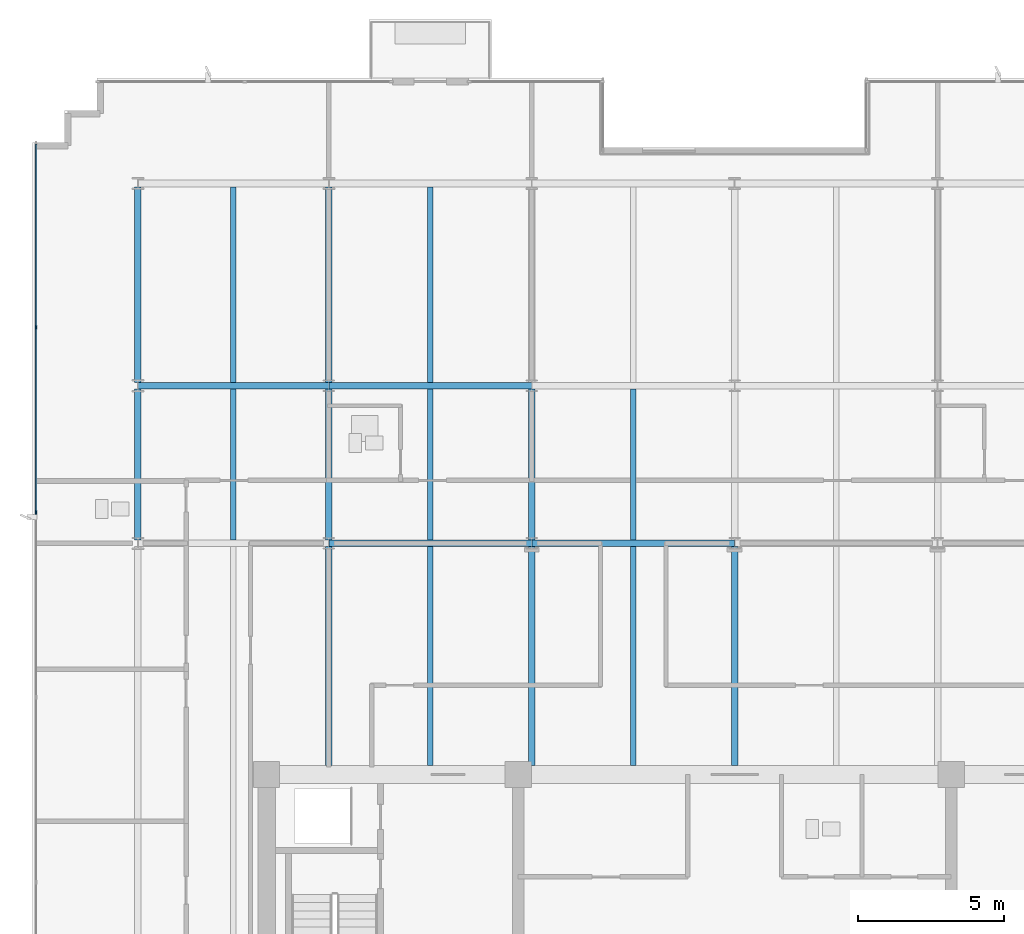
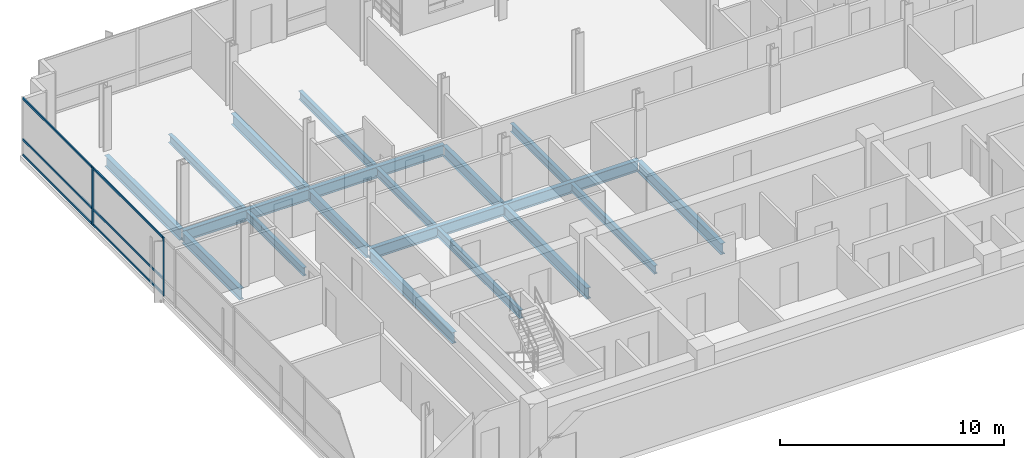
# One storey, part 4 of 17: 19 beams, 8 members, 1 element without a shape of its own.
"""IFC4 building model written with IfcOpenShell, lengths in metres."""

from ifc_helpers import new_model, si_unit, direction, frame, origin, origin_2d, place, context, subcontext, project, spatial, rectangle, i_section, extrude, material, material_profile, profile_set, type_object, element, aggregate, save


model = new_model("IFC4")

# Units and contexts
model_context = context("Model", 3, precision=1e-05, world=origin(), true_north=direction((0.0, 1.0)))
body_context = subcontext(model_context, "Body", "Model", "MODEL_VIEW")
ifc_project = project(units=[si_unit("LENGTHUNIT", "METRE"), si_unit("AREAUNIT", "SQUARE_METRE"), si_unit("VOLUMEUNIT", "CUBIC_METRE"), si_unit("PLANEANGLEUNIT", "RADIAN"), si_unit("MASSUNIT", "GRAM", prefix="KILO")], contexts=[model_context])

# Site, building, storey
site_placement = place(None, origin())
site = spatial("IfcSite", under=ifc_project, at=site_placement, CompositionType="ELEMENT")
building_placement = place(site_placement, origin())
building = spatial("IfcBuilding", under=site, at=building_placement, Name="Solmavex Isthmus Hotel", CompositionType="ELEMENT")
storey_placement = place(building_placement, frame((0.0, 0.0, 266.10009765625)))
storey = spatial("IfcBuildingStorey", under=building, at=storey_placement, Name="L72", CompositionType="ELEMENT", Elevation=266.10009765625)

# Beams
ifc_material_1 = material(Name="Steel ASTM A992 Grade 50", Category="steel")
ifc_material_profile_1 = material_profile(ifc_material_1, i_section(OverallWidth=0.1904296875, OverallDepth=0.456787109375, WebThickness=0.009033203125, FlangeThickness=0.014404296875, FilletRadius=0.0126953125, at=origin_2d()), Name="W18X50")
ifc_profile_set_1 = profile_set([ifc_material_profile_1], Name="Steel ASTM A992 Grade 50")
beam_type_1 = type_object("IfcBeamType", Name="BM-BJ-W18X50", PredefinedType="JOIST", material=ifc_profile_set_1)
beam_1_placement = place(storey_placement, frame((-17.135986328125, 5.513916015625, -0.488525390625), z_axis=(0.0, 1.0, 0.0), x_axis=(-1.0, 0.0, 0.0)))
element("IfcBeam", 1, at=beam_1_placement, inside=storey, type_object=beam_type_1, Name="Secondary Floor Joist L72-J02", PredefinedType="JOIST", context=body_context, shape_type="SweptSolid", body=[
    extrude(i_section(OverallWidth=0.1904296875, OverallDepth=0.456787109375, WebThickness=0.009033203125, FlangeThickness=0.014404296875, FilletRadius=0.0126953125, at=origin_2d()), origin(), (0.0, 0.0, 1.0), 5.16015625),
])
beam_2_placement = place(storey_placement, frame((-17.135986328125, 10.90185546875, -0.488525390625), z_axis=(0.0, 1.0, 0.0), x_axis=(-1.0, 0.0, 0.0)))
element("IfcBeam", 2, at=beam_2_placement, inside=storey, type_object=beam_type_1, Name="Secondary Floor Joist L72-J03", PredefinedType="JOIST", context=body_context, shape_type="SweptSolid", body=[
    extrude(i_section(OverallWidth=0.1904296875, OverallDepth=0.456787109375, WebThickness=0.009033203125, FlangeThickness=0.014404296875, FilletRadius=0.0126953125, at=origin_2d()), origin(), (0.0, 0.0, 1.0), 6.682861328125),
])
beam_3_placement = place(storey_placement, frame((-10.404052734375, -2.199951171875, -0.488525390625), z_axis=(0.0, 1.0, 0.0), x_axis=(-1.0, 0.0, 0.0)))
element("IfcBeam", 3, at=beam_3_placement, inside=storey, type_object=beam_type_1, Name="Secondary Floor Joist L72-J04", PredefinedType="JOIST", context=body_context, shape_type="SweptSolid", body=[
    extrude(i_section(OverallWidth=0.1904296875, OverallDepth=0.456787109375, WebThickness=0.009033203125, FlangeThickness=0.014404296875, FilletRadius=0.0126953125, at=origin_2d()), origin(), (0.0, 0.0, 1.0), 7.486083984375),
])
beam_4_placement = place(storey_placement, frame((-10.404052734375, 5.513916015625, -0.488525390625), z_axis=(0.0, 1.0, 0.0), x_axis=(-1.0, 0.0, 0.0)))
element("IfcBeam", 4, at=beam_4_placement, inside=storey, type_object=beam_type_1, Name="Secondary Floor Joist L72-J05", PredefinedType="JOIST", context=body_context, shape_type="SweptSolid", body=[
    extrude(i_section(OverallWidth=0.1904296875, OverallDepth=0.456787109375, WebThickness=0.009033203125, FlangeThickness=0.014404296875, FilletRadius=0.0126953125, at=origin_2d()), origin(), (0.0, 0.0, 1.0), 5.16015625),
])
beam_5_placement = place(storey_placement, frame((-10.404052734375, 10.90185546875, -0.488525390625), z_axis=(0.0, 1.0, 0.0), x_axis=(-1.0, 0.0, 0.0)))
element("IfcBeam", 5, at=beam_5_placement, inside=storey, type_object=beam_type_1, Name="Secondary Floor Joist L72-J06", PredefinedType="JOIST", context=body_context, shape_type="SweptSolid", body=[
    extrude(i_section(OverallWidth=0.1904296875, OverallDepth=0.456787109375, WebThickness=0.009033203125, FlangeThickness=0.014404296875, FilletRadius=0.0126953125, at=origin_2d()), origin(), (0.0, 0.0, 1.0), 6.682861328125),
])
beam_6_placement = place(storey_placement, frame((-3.468017578125, -2.199951171875, -0.488525390625), z_axis=(0.0, 1.0, 0.0), x_axis=(-1.0, 0.0, 0.0)))
element("IfcBeam", 6, at=beam_6_placement, inside=storey, type_object=beam_type_1, Name="Secondary Floor Joist L72-J07", PredefinedType="JOIST", context=body_context, shape_type="SweptSolid", body=[
    extrude(i_section(OverallWidth=0.1904296875, OverallDepth=0.456787109375, WebThickness=0.009033203125, FlangeThickness=0.014404296875, FilletRadius=0.0126953125, at=origin_2d()), origin(), (0.0, 0.0, 1.0), 7.486083984375),
])
beam_7_placement = place(storey_placement, frame((-3.468017578125, 5.513916015625, -0.488525390625), z_axis=(0.0, 1.0, 0.0), x_axis=(-1.0, 0.0, 0.0)))
element("IfcBeam", 7, at=beam_7_placement, inside=storey, type_object=beam_type_1, Name="Secondary Floor Joist L72-J08", PredefinedType="JOIST", context=body_context, shape_type="SweptSolid", body=[
    extrude(i_section(OverallWidth=0.1904296875, OverallDepth=0.456787109375, WebThickness=0.009033203125, FlangeThickness=0.014404296875, FilletRadius=0.0126953125, at=origin_2d()), origin(), (0.0, 0.0, 1.0), 5.16015625),
])
ifc_material_profile_2 = material_profile(ifc_material_1, i_section(OverallWidth=0.227783203125, OverallDepth=0.602783203125, WebThickness=0.010498046875, FlangeThickness=0.014892578125, FilletRadius=0.01513671875, at=origin_2d()), Name="W24X68")
ifc_profile_set_2 = profile_set([ifc_material_profile_2], Name="Steel ASTM A992 Grade 50")
beam_type_2 = type_object("IfcBeamType", Name="BM-BM-W24X68", PredefinedType="BEAM", material=ifc_profile_set_2)
for number, where, z_axis, x_axis, name in (
    (8, (-13.8720703125, 5.39990234375, -0.5615234375), (1.0, 0.0, 0.0), (0.0, 1.0, 0.0), "Floor Girder L72-UG04"),
    (9, (-6.93603515625, 5.39990234375, -0.5615234375), (1.0, 0.0, 0.0), (0.0, 1.0, 0.0), "Floor Girder L72-UG05"),
):
    element("IfcBeam", number, at=place(storey_placement, frame(where, z_axis=z_axis, x_axis=x_axis)), inside=storey, type_object=beam_type_2, Name=name, PredefinedType="BEAM", context=body_context, shape_type="SweptSolid", body=[
        extrude(i_section(OverallWidth=0.227783203125, OverallDepth=0.602783203125, WebThickness=0.010498046875, FlangeThickness=0.014892578125, FilletRadius=0.01513671875, at=origin_2d()), origin(), (0.0, 0.0, 1.0), 6.93603515625),
    ])
beam_8_placement = place(storey_placement, frame((-20.39990234375, 10.7880859375, -0.5615234375), z_axis=(1.0, 0.0, 0.0), x_axis=(0.0, 1.0, 0.0)))
element("IfcBeam", 10, at=beam_8_placement, inside=storey, type_object=beam_type_2, Name="Floor Girder L72-UG09", PredefinedType="BEAM", context=body_context, shape_type="SweptSolid", body=[
    extrude(i_section(OverallWidth=0.227783203125, OverallDepth=0.602783203125, WebThickness=0.010498046875, FlangeThickness=0.014892578125, FilletRadius=0.01513671875, at=origin_2d()), origin(), (0.0, 0.0, 1.0), 6.52783203125),
])
beam_9_placement = place(storey_placement, frame((-13.8720703125, 10.7880859375, -0.5615234375), z_axis=(1.0, 0.0, 0.0), x_axis=(0.0, 1.0, 0.0)))
element("IfcBeam", 11, at=beam_9_placement, inside=storey, type_object=beam_type_2, Name="Floor Girder L72-UG10", PredefinedType="BEAM", context=body_context, shape_type="SweptSolid", body=[
    extrude(i_section(OverallWidth=0.227783203125, OverallDepth=0.602783203125, WebThickness=0.010498046875, FlangeThickness=0.014892578125, FilletRadius=0.01513671875, at=origin_2d()), origin(), (0.0, 0.0, 1.0), 6.93603515625),
])
beam_10_placement = place(storey_placement, frame((-13.8720703125, -2.199951171875, -0.5615234375), z_axis=(0.0, 1.0, 0.0), x_axis=(-1.0, 0.0, 0.0)))
element("IfcBeam", 12, at=beam_10_placement, inside=storey, type_object=beam_type_2, Name="Floor Beam L72-VG24", PredefinedType="BEAM", context=body_context, shape_type="SweptSolid", body=[
    extrude(i_section(OverallWidth=0.227783203125, OverallDepth=0.602783203125, WebThickness=0.010498046875, FlangeThickness=0.014892578125, FilletRadius=0.01513671875, at=origin_2d()), origin(), (0.0, 0.0, 1.0), 7.486083984375),
])
beam_11_placement = place(storey_placement, frame((-13.8720703125, 5.513916015625, -0.5615234375), z_axis=(0.0, 1.0, 0.0), x_axis=(-1.0, 0.0, 0.0)))
element("IfcBeam", 13, at=beam_11_placement, inside=storey, type_object=beam_type_2, Name="Floor Beam L72-VG25", PredefinedType="BEAM", context=body_context, shape_type="SweptSolid", body=[
    extrude(i_section(OverallWidth=0.227783203125, OverallDepth=0.602783203125, WebThickness=0.010498046875, FlangeThickness=0.014892578125, FilletRadius=0.01513671875, at=origin_2d()), origin(), (0.0, 0.0, 1.0), 5.16015625),
])
beam_12_placement = place(storey_placement, frame((-13.8720703125, 10.90185546875, -0.5615234375), z_axis=(0.0, 1.0, 0.0), x_axis=(-1.0, 0.0, 0.0)))
element("IfcBeam", 14, at=beam_12_placement, inside=storey, type_object=beam_type_2, Name="Floor Beam L72-VG26", PredefinedType="BEAM", context=body_context, shape_type="SweptSolid", body=[
    extrude(i_section(OverallWidth=0.227783203125, OverallDepth=0.602783203125, WebThickness=0.010498046875, FlangeThickness=0.014892578125, FilletRadius=0.01513671875, at=origin_2d()), origin(), (0.0, 0.0, 1.0), 6.682861328125),
])
beam_13_placement = place(storey_placement, frame((-6.93603515625, -2.199951171875, -0.5615234375), z_axis=(0.0, 1.0, 0.0), x_axis=(-1.0, 0.0, 0.0)))
element("IfcBeam", 15, at=beam_13_placement, inside=storey, type_object=beam_type_2, Name="Floor Beam L72-VG27", PredefinedType="BEAM", context=body_context, shape_type="SweptSolid", body=[
    extrude(i_section(OverallWidth=0.227783203125, OverallDepth=0.602783203125, WebThickness=0.010498046875, FlangeThickness=0.014892578125, FilletRadius=0.01513671875, at=origin_2d()), origin(), (0.0, 0.0, 1.0), 7.486083984375),
])
beam_14_placement = place(storey_placement, frame((-6.93603515625, 5.513916015625, -0.5615234375), z_axis=(0.0, 1.0, 0.0), x_axis=(-1.0, 0.0, 0.0)))
element("IfcBeam", 16, at=beam_14_placement, inside=storey, type_object=beam_type_2, Name="Floor Beam L72-VG28", PredefinedType="BEAM", context=body_context, shape_type="SweptSolid", body=[
    extrude(i_section(OverallWidth=0.227783203125, OverallDepth=0.602783203125, WebThickness=0.010498046875, FlangeThickness=0.014892578125, FilletRadius=0.01513671875, at=origin_2d()), origin(), (0.0, 0.0, 1.0), 5.16015625),
])
beam_15_placement = place(storey_placement, frame((0.0, -2.199951171875, -0.5615234375), z_axis=(0.0, 1.0, 0.0), x_axis=(-1.0, 0.0, 0.0)))
element("IfcBeam", 17, at=beam_15_placement, inside=storey, type_object=beam_type_2, Name="Floor Beam L72-VG30", PredefinedType="BEAM", context=body_context, shape_type="SweptSolid", body=[
    extrude(i_section(OverallWidth=0.227783203125, OverallDepth=0.602783203125, WebThickness=0.010498046875, FlangeThickness=0.014892578125, FilletRadius=0.01513671875, at=origin_2d()), origin(), (0.0, 0.0, 1.0), 7.486083984375),
])
ifc_material_profile_3 = material_profile(ifc_material_1, i_section(OverallWidth=0.230224609375, OverallDepth=0.617431640625, WebThickness=0.01318359375, FlangeThickness=0.022216796875, FilletRadius=0.01513671875, at=origin_2d()), Name="W24X94")
ifc_profile_set_3 = profile_set([ifc_material_profile_3], Name="Steel ASTM A992 Grade 50")
beam_type_3 = type_object("IfcBeamType", Name="BM-SP-W24X94", PredefinedType="SPANDREL", material=ifc_profile_set_3)
beam_16_placement = place(storey_placement, frame((-20.39990234375, 5.513916015625, -0.56884765625), z_axis=(0.0, 1.0, 0.0), x_axis=(-1.0, 0.0, 0.0)))
element("IfcBeam", 18, at=beam_16_placement, inside=storey, type_object=beam_type_3, Name="Floor Beam L72-VG22", PredefinedType="SPANDREL", context=body_context, shape_type="SweptSolid", body=[
    extrude(i_section(OverallWidth=0.230224609375, OverallDepth=0.617431640625, WebThickness=0.01318359375, FlangeThickness=0.022216796875, FilletRadius=0.01513671875, at=origin_2d()), origin(), (0.0, 0.0, 1.0), 5.16015625),
])
beam_17_placement = place(storey_placement, frame((-20.39990234375, 10.90185546875, -0.56884765625), z_axis=(0.0, 1.0, 0.0), x_axis=(-1.0, 0.0, 0.0)))
element("IfcBeam", 19, at=beam_17_placement, inside=storey, type_object=beam_type_3, Name="Floor Beam L72-VG23", PredefinedType="SPANDREL", context=body_context, shape_type="SweptSolid", body=[
    extrude(i_section(OverallWidth=0.230224609375, OverallDepth=0.617431640625, WebThickness=0.01318359375, FlangeThickness=0.022216796875, FilletRadius=0.01513671875, at=origin_2d()), origin(), (0.0, 0.0, 1.0), 6.682861328125),
])

# Curtain wall, members
ifc_material_2 = material(Name="Aluminium alloy 6063-T6", Category="aluminium")
curtain_wall_type = type_object("IfcCurtainWallType", Name="CW-SYS-06", PredefinedType="NOTDEFINED", material=ifc_material_2)
curtain_wall_placement = place(storey_placement, origin())
curtain_wall = element("IfcCurtainWall", 20, at=curtain_wall_placement, inside=storey, type_object=curtain_wall_type, Name="Stick Curtain Wall CWL-L72-W1", PredefinedType="NOTDEFINED")
ifc_material_profile_4 = material_profile(ifc_material_2, rectangle(XDim=0.06005859375, YDim=0.139892578125, at=origin_2d()), Name="CWM-60X140")
ifc_profile_set_4 = profile_set([ifc_material_profile_4], Name="Aluminium alloy 6063-T6")
member_type_1 = type_object("IfcMemberType", Name="CW-SYS-06-MUL", PredefinedType="MULLION", material=ifc_profile_set_4)
member_1_placement = place(storey_placement, frame((-23.8798828125, 6.4599609375, 0.0), z_axis=(0.0, 0.0, 1.0), x_axis=(-1.0, 0.0, 0.0)))
member_1 = element("IfcMember", 21, at=member_1_placement, type_object=member_type_1, Name="CW-06 mullion 4", PredefinedType="MULLION", context=body_context, shape_type="SweptSolid", body=[
    extrude(rectangle(XDim=0.06005859375, YDim=0.139892578125, at=origin_2d()), origin(), (0.0, 0.0, 1.0), 3.18994140625),
])
member_2_placement = place(storey_placement, frame((-23.8798828125, 12.780029296875, 0.0), z_axis=(0.0, 0.0, 1.0), x_axis=(-1.0, 0.0, 0.0)))
member_2 = element("IfcMember", 22, at=member_2_placement, type_object=member_type_1, Name="CW-06 mullion 5", PredefinedType="MULLION", context=body_context, shape_type="SweptSolid", body=[
    extrude(rectangle(XDim=0.06005859375, YDim=0.139892578125, at=origin_2d()), origin(), (0.0, 0.0, 1.0), 3.18994140625),
])
ifc_material_profile_5 = material_profile(ifc_material_2, rectangle(XDim=0.06005859375, YDim=0.114990234375, at=origin_2d()), Name="CWT-60X115")
ifc_profile_set_5 = profile_set([ifc_material_profile_5], Name="Aluminium alloy 6063-T6")
member_type_2 = type_object("IfcMemberType", Name="CW-SYS-06-TRN", PredefinedType="USERDEFINED", material=ifc_profile_set_5)
member_3_placement = place(storey_placement, frame((-23.8798828125, 6.489990234375, 0.057373046875), z_axis=(0.0, 1.0, 0.0), x_axis=(-1.0, 0.0, 0.0)))
member_3 = element("IfcMember", 23, at=member_3_placement, type_object=member_type_2, Name="CW-06 transom 4.1", ObjectType="TRANSOM", PredefinedType="USERDEFINED", context=body_context, shape_type="SweptSolid", body=[
    extrude(rectangle(XDim=0.06005859375, YDim=0.114990234375, at=origin_2d()), origin(), (0.0, 0.0, 1.0), 6.260009765625),
])
member_4_placement = place(storey_placement, frame((-23.8798828125, 6.489990234375, 0.89990234375), z_axis=(0.0, 1.0, 0.0), x_axis=(-1.0, 0.0, 0.0)))
member_4 = element("IfcMember", 24, at=member_4_placement, type_object=member_type_2, Name="CW-06 transom 4.2", ObjectType="TRANSOM", PredefinedType="USERDEFINED", context=body_context, shape_type="SweptSolid", body=[
    extrude(rectangle(XDim=0.06005859375, YDim=0.114990234375, at=origin_2d()), origin(), (0.0, 0.0, 1.0), 6.260009765625),
])
member_5_placement = place(storey_placement, frame((-23.8798828125, 6.489990234375, 3.13232421875), z_axis=(0.0, 1.0, 0.0), x_axis=(-1.0, 0.0, 0.0)))
member_5 = element("IfcMember", 25, at=member_5_placement, type_object=member_type_2, Name="CW-06 transom 4.3", ObjectType="TRANSOM", PredefinedType="USERDEFINED", context=body_context, shape_type="SweptSolid", body=[
    extrude(rectangle(XDim=0.06005859375, YDim=0.114990234375, at=origin_2d()), origin(), (0.0, 0.0, 1.0), 6.260009765625),
])
member_6_placement = place(storey_placement, frame((-23.8798828125, 12.81005859375, 0.057373046875), z_axis=(0.0, 1.0, 0.0), x_axis=(-1.0, 0.0, 0.0)))
member_6 = element("IfcMember", 26, at=member_6_placement, type_object=member_type_2, Name="CW-06 transom 5.1", ObjectType="TRANSOM", PredefinedType="USERDEFINED", context=body_context, shape_type="SweptSolid", body=[
    extrude(rectangle(XDim=0.06005859375, YDim=0.114990234375, at=origin_2d()), origin(), (0.0, 0.0, 1.0), 6.22998046875),
])
member_7_placement = place(storey_placement, frame((-23.8798828125, 12.81005859375, 0.89990234375), z_axis=(0.0, 1.0, 0.0), x_axis=(-1.0, 0.0, 0.0)))
member_7 = element("IfcMember", 27, at=member_7_placement, type_object=member_type_2, Name="CW-06 transom 5.2", ObjectType="TRANSOM", PredefinedType="USERDEFINED", context=body_context, shape_type="SweptSolid", body=[
    extrude(rectangle(XDim=0.06005859375, YDim=0.114990234375, at=origin_2d()), origin(), (0.0, 0.0, 1.0), 6.22998046875),
])
member_8_placement = place(storey_placement, frame((-23.8798828125, 12.81005859375, 3.13232421875), z_axis=(0.0, 1.0, 0.0), x_axis=(-1.0, 0.0, 0.0)))
member_8 = element("IfcMember", 28, at=member_8_placement, type_object=member_type_2, Name="CW-06 transom 5.3", ObjectType="TRANSOM", PredefinedType="USERDEFINED", context=body_context, shape_type="SweptSolid", body=[
    extrude(rectangle(XDim=0.06005859375, YDim=0.114990234375, at=origin_2d()), origin(), (0.0, 0.0, 1.0), 6.22998046875),
])
aggregate(curtain_wall, [member_1, member_2, member_3, member_4, member_5, member_6, member_7, member_8])

save(model, "model.ifc")
